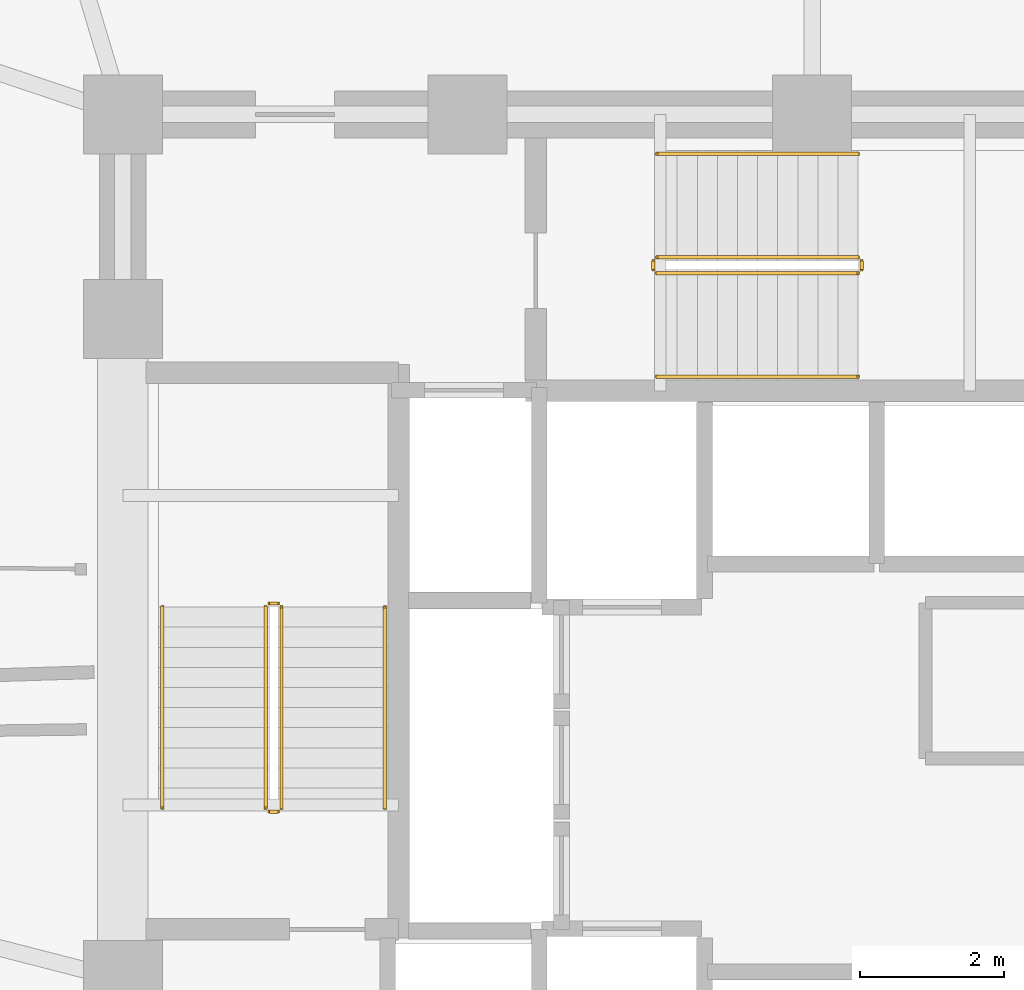
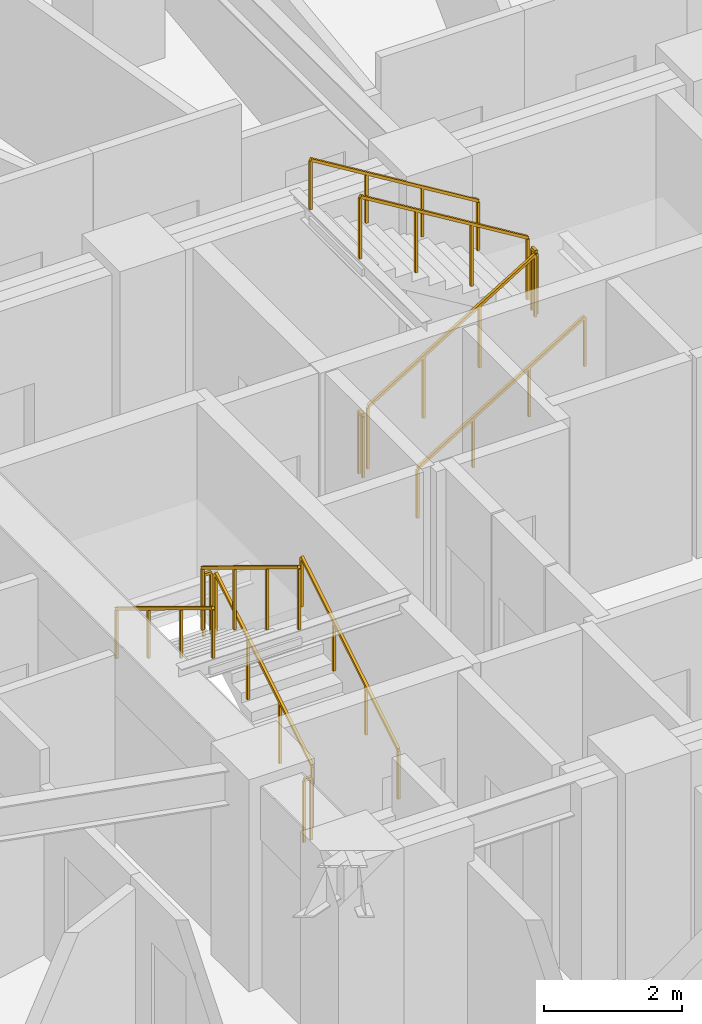
# One storey, part 11 of 13: 12 railings.
"""IFC4 building model written with IfcOpenShell, lengths in metres."""

from ifc_helpers import new_model, si_unit, direction, frame, origin, origin_2d, place, context, subcontext, project, spatial, rectangle, extrude, material, type_object, element, save


model = new_model("IFC4")

# Units and contexts
model_context = context("Model", 3, precision=1e-05, world=origin(), true_north=direction((0.0, 1.0)))
body_context = subcontext(model_context, "Body", "Model", "MODEL_VIEW")
ifc_project = project(units=[si_unit("LENGTHUNIT", "METRE"), si_unit("AREAUNIT", "SQUARE_METRE"), si_unit("VOLUMEUNIT", "CUBIC_METRE"), si_unit("PLANEANGLEUNIT", "RADIAN"), si_unit("MASSUNIT", "GRAM", prefix="KILO")], contexts=[model_context])

# Site, building, storey
site_placement = place(None, origin())
site = spatial("IfcSite", under=ifc_project, at=site_placement, CompositionType="ELEMENT")
building_placement = place(site_placement, origin())
building = spatial("IfcBuilding", under=site, at=building_placement, Name="Vantalir Tower", CompositionType="ELEMENT")
storey_placement = place(building_placement, frame((0.0, 0.0, 53.25)))
storey = spatial("IfcBuildingStorey", under=building, at=storey_placement, Name="L12", CompositionType="ELEMENT", Elevation=53.25)

# Railings
ifc_material_1 = material(Name="Anodised aluminium and stainless steel guard", Category="steel")
railing_type_1 = type_object("IfcRailingType", Name="RAL-GUARD-1120", PredefinedType="GUARDRAIL", material=ifc_material_1)
railing_1_placement = place(storey_placement, frame((24.110107421875, 22.7900390625, 0.17041015625)))
element("IfcRailing", 1, at=railing_1_placement, inside=storey, type_object=railing_type_1, Name="L12 ST1 stair guard 1", PredefinedType="GUARDRAIL", context=body_context, shape_type="SweptSolid", body=[
    extrude(rectangle(XDim=0.048095703125, YDim=0.048095703125, at=origin_2d()), frame((0.0, 0.0, 1.09619140625), z_axis=(0.0, 0.854169791009, 0.51999420009), x_axis=(-1.0, 0.0, 0.0)), (0.0, 0.0, 1.0), 3.278076171875),
    extrude(rectangle(XDim=0.0419921875, YDim=0.0419921875, at=origin_2d()), origin(), (0.0, 0.0, 1.0), 1.072021484375),
    extrude(rectangle(XDim=0.0419921875, YDim=0.0419921875, at=origin_2d()), frame((0.0, 0.933349609375, 0.568115234375)), (0.0, 0.0, 1.0), 1.072021484375),
    extrude(rectangle(XDim=0.0419921875, YDim=0.0419921875, at=origin_2d()), frame((0.0, 1.86669921875, 1.136474609375)), (0.0, 0.0, 1.0), 1.072021484375),
    extrude(rectangle(XDim=0.0419921875, YDim=0.0419921875, at=origin_2d()), frame((0.0, 2.800048828125, 1.70458984375)), (0.0, 0.0, 1.0), 1.072021484375),
])
railing_2_placement = place(storey_placement, frame((24.06005859375, 25.639892578125, 1.875)))
element("IfcRailing", 2, at=railing_2_placement, inside=storey, type_object=railing_type_1, Name="L12 ST1 stair guard 2", PredefinedType="GUARDRAIL", context=body_context, shape_type="SweptSolid", body=[
    extrude(rectangle(XDim=0.048095703125, YDim=0.048095703125, at=origin_2d()), frame((0.0, 0.0, 1.09619140625), z_axis=(-1.0, 0.0, 0.0), x_axis=(0.0, -1.0, 0.0)), (0.0, 0.0, 1.0), 0.1201171875),
    extrude(rectangle(XDim=0.0419921875, YDim=0.0419921875, at=origin_2d()), origin(), (0.0, 0.0, 1.0), 1.072021484375),
    extrude(rectangle(XDim=0.0419921875, YDim=0.0419921875, at=origin_2d()), frame((-0.1201171875, 0.0, 0.0)), (0.0, 0.0, 1.0), 1.072021484375),
])
railing_3_placement = place(storey_placement, frame((23.889892578125, 25.590087890625, 2.04541015625)))
element("IfcRailing", 3, at=railing_3_placement, inside=storey, type_object=railing_type_1, Name="L12 ST1 stair guard 3", PredefinedType="GUARDRAIL", context=body_context, shape_type="SweptSolid", body=[
    extrude(rectangle(XDim=0.048095703125, YDim=0.048095703125, at=origin_2d()), frame((0.0, 0.0, 1.09619140625), z_axis=(0.0, -0.854169791009, 0.51999420009), x_axis=(1.0, 0.0, 0.0)), (0.0, 0.0, 1.0), 3.278076171875),
    extrude(rectangle(XDim=0.0419921875, YDim=0.0419921875, at=origin_2d()), origin(), (0.0, 0.0, 1.0), 1.072021484375),
    extrude(rectangle(XDim=0.0419921875, YDim=0.0419921875, at=origin_2d()), frame((0.0, -0.933349609375, 0.568115234375)), (0.0, 0.0, 1.0), 1.072021484375),
    extrude(rectangle(XDim=0.0419921875, YDim=0.0419921875, at=origin_2d()), frame((0.0, -1.86669921875, 1.136474609375)), (0.0, 0.0, 1.0), 1.072021484375),
    extrude(rectangle(XDim=0.0419921875, YDim=0.0419921875, at=origin_2d()), frame((0.0, -2.800048828125, 1.70458984375)), (0.0, 0.0, 1.0), 1.072021484375),
])
railing_4_placement = place(storey_placement, frame((24.06005859375, 22.739990234375, 0.0)))
element("IfcRailing", 4, at=railing_4_placement, inside=storey, type_object=railing_type_1, Name="L12 ST1 stair guard 4", PredefinedType="GUARDRAIL", context=body_context, shape_type="SweptSolid", body=[
    extrude(rectangle(XDim=0.048095703125, YDim=0.048095703125, at=origin_2d()), frame((0.0, 0.0, 1.09619140625), z_axis=(-1.0, 0.0, 0.0), x_axis=(0.0, -1.0, 0.0)), (0.0, 0.0, 1.0), 0.1201171875),
    extrude(rectangle(XDim=0.0419921875, YDim=0.0419921875, at=origin_2d()), origin(), (0.0, 0.0, 1.0), 1.072021484375),
    extrude(rectangle(XDim=0.0419921875, YDim=0.0419921875, at=origin_2d()), frame((-0.1201171875, 0.0, 0.0)), (0.0, 0.0, 1.0), 1.072021484375),
])
railing_5_placement = place(storey_placement, frame((29.340087890625, 30.239990234375, 0.17041015625)))
element("IfcRailing", 5, at=railing_5_placement, inside=storey, type_object=railing_type_1, Name="L12 ST3 stair guard 1", PredefinedType="GUARDRAIL", context=body_context, shape_type="SweptSolid", body=[
    extrude(rectangle(XDim=0.048095703125, YDim=0.048095703125, at=origin_2d()), frame((0.0, 0.0, 1.09619140625), z_axis=(0.854149651119, 0.0, 0.520027281489), x_axis=(0.0, 1.0, 0.0)), (0.0, 0.0, 1.0), 3.27783203125),
    extrude(rectangle(XDim=0.0419921875, YDim=0.0419921875, at=origin_2d()), origin(), (0.0, 0.0, 1.0), 1.072021484375),
    extrude(rectangle(XDim=0.0419921875, YDim=0.0419921875, at=origin_2d()), frame((0.933349609375, 0.0, 0.568115234375)), (0.0, 0.0, 1.0), 1.072021484375),
    extrude(rectangle(XDim=0.0419921875, YDim=0.0419921875, at=origin_2d()), frame((1.866455078125, 0.0, 1.136474609375)), (0.0, 0.0, 1.0), 1.072021484375),
    extrude(rectangle(XDim=0.0419921875, YDim=0.0419921875, at=origin_2d()), frame((2.7998046875, 0.0, 1.70458984375)), (0.0, 0.0, 1.0), 1.072021484375),
])
railing_6_placement = place(storey_placement, frame((32.18994140625, 30.2900390625, 1.875)))
element("IfcRailing", 6, at=railing_6_placement, inside=storey, type_object=railing_type_1, Name="L12 ST3 stair guard 2", PredefinedType="GUARDRAIL", context=body_context, shape_type="SweptSolid", body=[
    extrude(rectangle(XDim=0.048095703125, YDim=0.048095703125, at=origin_2d()), frame((0.0, 0.0, 1.09619140625), z_axis=(0.0, 1.0, 0.0), x_axis=(-1.0, 0.0, 0.0)), (0.0, 0.0, 1.0), 0.119873046875),
    extrude(rectangle(XDim=0.0419921875, YDim=0.0419921875, at=origin_2d()), origin(), (0.0, 0.0, 1.0), 1.072021484375),
    extrude(rectangle(XDim=0.0419921875, YDim=0.0419921875, at=origin_2d()), frame((0.0, 0.119873046875, 0.0)), (0.0, 0.0, 1.0), 1.072021484375),
])
railing_7_placement = place(storey_placement, frame((32.139892578125, 30.4599609375, 2.04541015625)))
element("IfcRailing", 7, at=railing_7_placement, inside=storey, type_object=railing_type_1, Name="L12 ST3 stair guard 3", PredefinedType="GUARDRAIL", context=body_context, shape_type="SweptSolid", body=[
    extrude(rectangle(XDim=0.048095703125, YDim=0.048095703125, at=origin_2d()), frame((0.0, 0.0, 1.09619140625), z_axis=(-0.854149651119, 0.0, 0.520027281489), x_axis=(0.0, -1.0, 0.0)), (0.0, 0.0, 1.0), 3.27783203125),
    extrude(rectangle(XDim=0.0419921875, YDim=0.0419921875, at=origin_2d()), origin(), (0.0, 0.0, 1.0), 1.072021484375),
    extrude(rectangle(XDim=0.0419921875, YDim=0.0419921875, at=origin_2d()), frame((-0.933349609375, 0.0, 0.568115234375)), (0.0, 0.0, 1.0), 1.072021484375),
    extrude(rectangle(XDim=0.0419921875, YDim=0.0419921875, at=origin_2d()), frame((-1.866455078125, 0.0, 1.136474609375)), (0.0, 0.0, 1.0), 1.072021484375),
    extrude(rectangle(XDim=0.0419921875, YDim=0.0419921875, at=origin_2d()), frame((-2.7998046875, 0.0, 1.70458984375)), (0.0, 0.0, 1.0), 1.072021484375),
])
railing_8_placement = place(storey_placement, frame((29.2900390625, 30.2900390625, 0.0)))
element("IfcRailing", 8, at=railing_8_placement, inside=storey, type_object=railing_type_1, Name="L12 ST3 stair guard 4", PredefinedType="GUARDRAIL", context=body_context, shape_type="SweptSolid", body=[
    extrude(rectangle(XDim=0.048095703125, YDim=0.048095703125, at=origin_2d()), frame((0.0, 0.0, 1.09619140625), z_axis=(0.0, 1.0, 0.0), x_axis=(-1.0, 0.0, 0.0)), (0.0, 0.0, 1.0), 0.119873046875),
    extrude(rectangle(XDim=0.0419921875, YDim=0.0419921875, at=origin_2d()), origin(), (0.0, 0.0, 1.0), 1.072021484375),
    extrude(rectangle(XDim=0.0419921875, YDim=0.0419921875, at=origin_2d()), frame((0.0, 0.119873046875, 0.0)), (0.0, 0.0, 1.0), 1.072021484375),
])
ifc_material_2 = material(Name="Brushed stainless steel tubular handrail", Category="steel")
railing_type_2 = type_object("IfcRailingType", Name="RAL-HANDRAIL-900", PredefinedType="HANDRAIL", material=ifc_material_2)
railing_9_placement = place(storey_placement, frame((25.550048828125, 22.7900390625, 0.17041015625)))
element("IfcRailing", 9, at=railing_9_placement, inside=storey, type_object=railing_type_2, Name="L12 ST1 stair handrail 1", PredefinedType="HANDRAIL", context=body_context, shape_type="SweptSolid", body=[
    extrude(rectangle(XDim=0.048095703125, YDim=0.048095703125, at=origin_2d()), frame((0.0, 0.0, 0.8759765625), z_axis=(0.0, 0.854169791009, 0.51999420009), x_axis=(-1.0, 0.0, 0.0)), (0.0, 0.0, 1.0), 3.278076171875),
    extrude(rectangle(XDim=0.0419921875, YDim=0.0419921875, at=origin_2d()), origin(), (0.0, 0.0, 1.0), 0.851806640625),
    extrude(rectangle(XDim=0.0419921875, YDim=0.0419921875, at=origin_2d()), frame((0.0, 0.933349609375, 0.568115234375)), (0.0, 0.0, 1.0), 0.851806640625),
    extrude(rectangle(XDim=0.0419921875, YDim=0.0419921875, at=origin_2d()), frame((0.0, 1.86669921875, 1.136474609375)), (0.0, 0.0, 1.0), 0.851806640625),
    extrude(rectangle(XDim=0.0419921875, YDim=0.0419921875, at=origin_2d()), frame((0.0, 2.800048828125, 1.70458984375)), (0.0, 0.0, 1.0), 0.851806640625),
])
railing_10_placement = place(storey_placement, frame((22.449951171875, 25.590087890625, 2.04541015625)))
element("IfcRailing", 10, at=railing_10_placement, inside=storey, type_object=railing_type_2, Name="L12 ST1 stair handrail 2", PredefinedType="HANDRAIL", context=body_context, shape_type="SweptSolid", body=[
    extrude(rectangle(XDim=0.048095703125, YDim=0.048095703125, at=origin_2d()), frame((0.0, 0.0, 0.8759765625), z_axis=(0.0, -0.854169791009, 0.51999420009), x_axis=(1.0, 0.0, 0.0)), (0.0, 0.0, 1.0), 3.278076171875),
    extrude(rectangle(XDim=0.0419921875, YDim=0.0419921875, at=origin_2d()), origin(), (0.0, 0.0, 1.0), 0.851806640625),
    extrude(rectangle(XDim=0.0419921875, YDim=0.0419921875, at=origin_2d()), frame((0.0, -0.933349609375, 0.568115234375)), (0.0, 0.0, 1.0), 0.851806640625),
    extrude(rectangle(XDim=0.0419921875, YDim=0.0419921875, at=origin_2d()), frame((0.0, -1.86669921875, 1.136474609375)), (0.0, 0.0, 1.0), 0.851806640625),
    extrude(rectangle(XDim=0.0419921875, YDim=0.0419921875, at=origin_2d()), frame((0.0, -2.800048828125, 1.70458984375)), (0.0, 0.0, 1.0), 0.851806640625),
])
railing_11_placement = place(storey_placement, frame((29.340087890625, 28.800048828125, 0.17041015625)))
element("IfcRailing", 11, at=railing_11_placement, inside=storey, type_object=railing_type_2, Name="L12 ST3 stair handrail 1", PredefinedType="HANDRAIL", context=body_context, shape_type="SweptSolid", body=[
    extrude(rectangle(XDim=0.048095703125, YDim=0.048095703125, at=origin_2d()), frame((0.0, 0.0, 0.8759765625), z_axis=(0.854149651119, 0.0, 0.520027281489), x_axis=(0.0, 1.0, 0.0)), (0.0, 0.0, 1.0), 3.27783203125),
    extrude(rectangle(XDim=0.0419921875, YDim=0.0419921875, at=origin_2d()), origin(), (0.0, 0.0, 1.0), 0.851806640625),
    extrude(rectangle(XDim=0.0419921875, YDim=0.0419921875, at=origin_2d()), frame((0.933349609375, 0.0, 0.568115234375)), (0.0, 0.0, 1.0), 0.851806640625),
    extrude(rectangle(XDim=0.0419921875, YDim=0.0419921875, at=origin_2d()), frame((1.866455078125, 0.0, 1.136474609375)), (0.0, 0.0, 1.0), 0.851806640625),
    extrude(rectangle(XDim=0.0419921875, YDim=0.0419921875, at=origin_2d()), frame((2.7998046875, 0.0, 1.70458984375)), (0.0, 0.0, 1.0), 0.851806640625),
])
railing_12_placement = place(storey_placement, frame((32.139892578125, 31.89990234375, 2.04541015625)))
element("IfcRailing", 12, at=railing_12_placement, inside=storey, type_object=railing_type_2, Name="L12 ST3 stair handrail 2", PredefinedType="HANDRAIL", context=body_context, shape_type="SweptSolid", body=[
    extrude(rectangle(XDim=0.048095703125, YDim=0.048095703125, at=origin_2d()), frame((0.0, 0.0, 0.8759765625), z_axis=(-0.854149651119, 0.0, 0.520027281489), x_axis=(0.0, -1.0, 0.0)), (0.0, 0.0, 1.0), 3.27783203125),
    extrude(rectangle(XDim=0.0419921875, YDim=0.0419921875, at=origin_2d()), origin(), (0.0, 0.0, 1.0), 0.851806640625),
    extrude(rectangle(XDim=0.0419921875, YDim=0.0419921875, at=origin_2d()), frame((-0.933349609375, 0.0, 0.568115234375)), (0.0, 0.0, 1.0), 0.851806640625),
    extrude(rectangle(XDim=0.0419921875, YDim=0.0419921875, at=origin_2d()), frame((-1.866455078125, 0.0, 1.136474609375)), (0.0, 0.0, 1.0), 0.851806640625),
    extrude(rectangle(XDim=0.0419921875, YDim=0.0419921875, at=origin_2d()), frame((-2.7998046875, 0.0, 1.70458984375)), (0.0, 0.0, 1.0), 0.851806640625),
])

save(model, "model.ifc")
